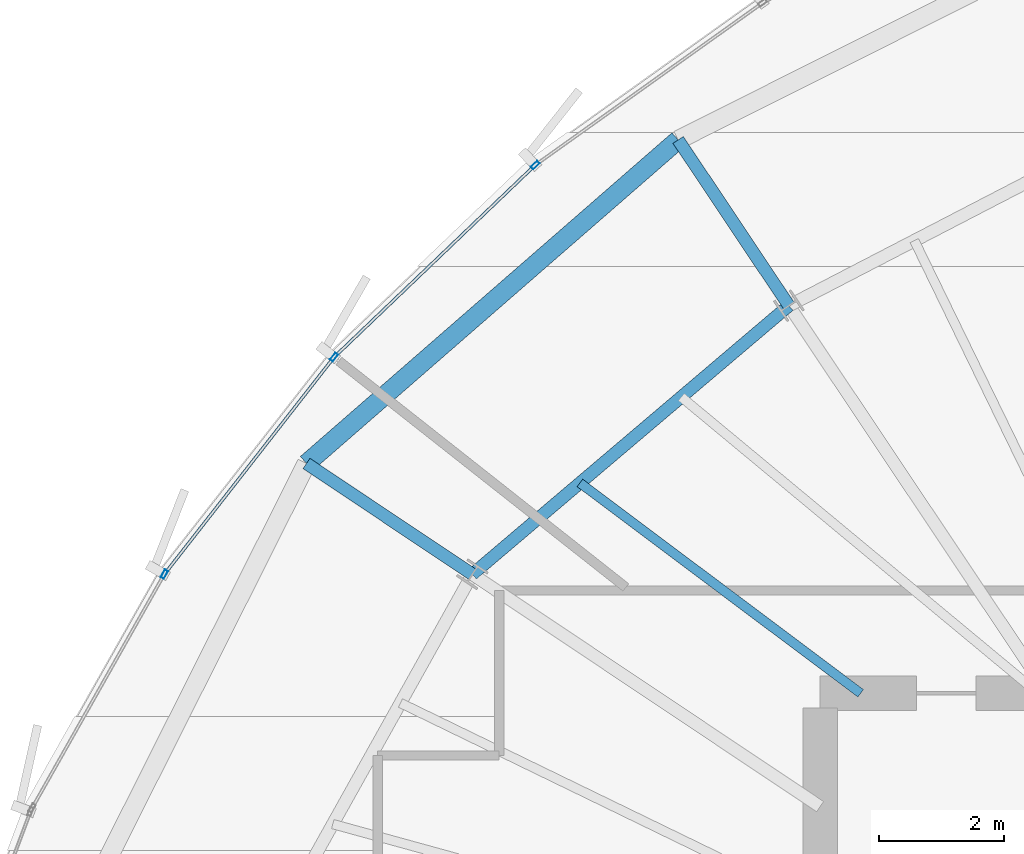
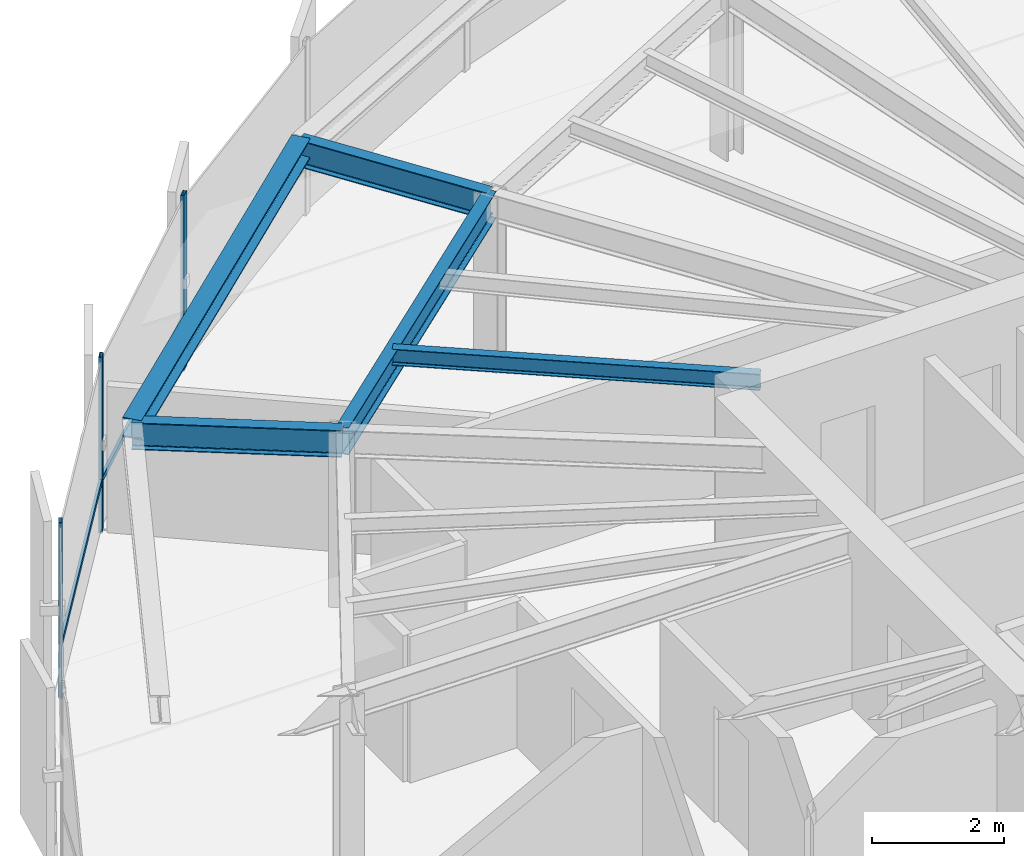
# One storey, part 20 of 35: 5 beams, 5 members, 1 element without a shape of its own.
"""IFC4 building model written with IfcOpenShell, lengths in metres."""

from ifc_helpers import new_model, si_unit, direction, frame, origin, origin_2d, place, context, subcontext, project, spatial, hollow_rectangle, i_section, extrude, source, transform, mapped, material, layer, layer_set, material_profile, profile_set, type_object, element, aggregate, save


model = new_model("IFC4")

# Units and contexts
model_context = context("Model", 3, precision=1e-05, world=origin(), true_north=direction((0.0, 1.0)))
body_context = subcontext(model_context, "Body", "Model", "MODEL_VIEW")
ifc_project = project(units=[si_unit("LENGTHUNIT", "METRE"), si_unit("AREAUNIT", "SQUARE_METRE"), si_unit("VOLUMEUNIT", "CUBIC_METRE"), si_unit("PLANEANGLEUNIT", "RADIAN"), si_unit("MASSUNIT", "GRAM", prefix="KILO"), si_unit("THERMODYNAMICTEMPERATUREUNIT", "KELVIN")], contexts=[model_context])

# Site, building, storey
site_placement = place(None, origin())
site = spatial("IfcSite", under=ifc_project, at=site_placement, CompositionType="ELEMENT")
building_placement = place(site_placement, origin())
building = spatial("IfcBuilding", under=site, at=building_placement, Name="Kethvar Cultural Tower", CompositionType="ELEMENT")
storey_placement = place(building_placement, frame((0.0, 0.0, 193.89990234375)))
storey = spatial("IfcBuildingStorey", under=building, at=storey_placement, Name="L50", CompositionType="ELEMENT", Elevation=193.89990234375)

# Beams
ifc_material_1 = material(Name="Steel S355J2", Category="steel")
ifc_material_profile_1 = material_profile(ifc_material_1, i_section(OverallWidth=0.199951171875, OverallDepth=0.5, WebThickness=0.01025390625, FlangeThickness=0.01611328125, FilletRadius=0.02099609375, at=origin_2d()), Name="Steel S355J2 — IPE500")
ifc_profile_set_1 = profile_set([ifc_material_profile_1], Name="Steel S355J2 — IPE500")
beam_type_1 = type_object("IfcBeamType", Name="BM-IPE500", PredefinedType="BEAM", material=ifc_profile_set_1)
shared_shape_1 = source(origin(), body_context, "Body", "SweptSolid", [
    extrude(i_section(OverallWidth=0.199951171875, OverallDepth=0.5, WebThickness=0.01025390625, FlangeThickness=0.01611328125, FilletRadius=0.02099609375, at=origin_2d()), origin(), (0.0, 0.0, 1.0), 3.199951171875),
])
for number, where, z_axis, x_axis, name in (
    (1, (37.498779296875, 41.720458984375, 3.008056640625), (-0.555580212716, 0.831462943996, 0.0), (-0.831462943996, -0.555580212716, 0.0), "L50 Perimeter Cantilever Beam RC-06"),
    (2, (32.418212890625, 37.409423828125, 3.008056640625), (-0.831462943996, 0.555580212716, 0.0), (-0.555580212716, -0.831462943996, 0.0), "L50 Perimeter Cantilever Beam RC-07"),
):
    element("IfcBeam", number, at=place(storey_placement, frame(where, z_axis=z_axis, x_axis=x_axis)), inside=storey, type_object=beam_type_1, Name=name, PredefinedType="BEAM", context=body_context, shape_type="MappedRepresentation", body=[
        mapped(shared_shape_1, transform((0.0, 0.0, 0.0), scale=1.0)),
    ])
shared_shape_2 = source(origin(), body_context, "Body", "SweptSolid", [
    extrude(i_section(OverallWidth=0.199951171875, OverallDepth=0.5, WebThickness=0.01025390625, FlangeThickness=0.01611328125, FilletRadius=0.02099609375, at=origin_2d()), origin(), (0.0, 0.0, 1.0), 6.6630859375),
])
beam_1_placement = place(storey_placement, frame((37.498779296875, 41.720458984375, 3.008056640625), z_axis=(-0.762490511547, -0.646999397064, 0.0), x_axis=(0.646999397064, -0.762490511547, 0.0)))
element("IfcBeam", 3, at=beam_1_placement, inside=storey, type_object=beam_type_1, Name="L50 Column Ring Tie Beam CR-06", PredefinedType="BEAM", context=body_context, shape_type="MappedRepresentation", body=[
    mapped(shared_shape_2, transform((0.0, 0.0, 0.0), scale=1.0)),
])
ifc_material_profile_2 = material_profile(ifc_material_1, i_section(OverallWidth=0.300048828125, OverallDepth=0.360107421875, WebThickness=0.012451171875, FlangeThickness=0.0224609375, FilletRadius=0.027099609375, at=origin_2d()), Name="Steel S355J2 — HEB360")
ifc_profile_set_2 = profile_set([ifc_material_profile_2], Name="Steel S355J2 — HEB360")
beam_type_2 = type_object("IfcBeamType", Name="BM-SP360", PredefinedType="SPANDREL", material=ifc_profile_set_2)
shared_shape_3 = source(origin(), body_context, "Body", "SweptSolid", [
    extrude(i_section(OverallWidth=0.300048828125, OverallDepth=0.360107421875, WebThickness=0.012451171875, FlangeThickness=0.0224609375, FilletRadius=0.027099609375, at=origin_2d()), origin(), (0.0, 0.0, 1.0), 7.908203125),
])
beam_2_placement = place(storey_placement, frame((35.720947265625, 44.381103515625, 3.078125), z_axis=(-0.754085541675, -0.656776214427, 0.0), x_axis=(0.656776214427, -0.754085541675, 0.0)))
element("IfcBeam", 4, at=beam_2_placement, inside=storey, type_object=beam_type_2, Name="L50 Perimeter Spandrel Beam SP-06", PredefinedType="SPANDREL", context=body_context, shape_type="MappedRepresentation", body=[
    mapped(shared_shape_3, transform((0.0, 0.0, 0.0), scale=1.0)),
])
ifc_material_profile_3 = material_profile(ifc_material_1, i_section(OverallWidth=0.14990234375, OverallDepth=0.300048828125, WebThickness=0.007080078125, FlangeThickness=0.0107421875, FilletRadius=0.014892578125, at=origin_2d()), Name="Steel S355J2 — IPE300")
ifc_profile_set_3 = profile_set([ifc_material_profile_3], Name="Steel S355J2 — IPE300")
beam_type_3 = type_object("IfcBeamType", Name="BM-J300", PredefinedType="JOIST", material=ifc_profile_set_3)
shared_shape_4 = source(origin(), body_context, "Body", "SweptSolid", [
    extrude(i_section(OverallWidth=0.14990234375, OverallDepth=0.300048828125, WebThickness=0.007080078125, FlangeThickness=0.0107421875, FilletRadius=0.014892578125, at=origin_2d()), origin(), (0.0, 0.0, 1.0), 5.628662109375),
])
beam_3_placement = place(storey_placement, frame((38.64990234375, 35.5, 3.108154296875), z_axis=(-0.800260171956, 0.599652947279, 0.0), x_axis=(-0.599652947279, -0.800260171956, 0.0)))
element("IfcBeam", 5, at=beam_3_placement, inside=storey, type_object=beam_type_3, Name="L50 Composite Floor Joist J-06B", PredefinedType="JOIST", context=body_context, shape_type="MappedRepresentation", body=[
    mapped(shared_shape_4, transform((0.0, 0.0, 0.0), scale=1.0)),
])

# Curtain wall, members
ifc_material_2 = material(Name="Aluminium 6063-T6", Category="aluminium")
ifc_layer = layer(ifc_material_2, 0.179931640625, Name="Aluminium 6063-T6", Category="aluminium")
ifc_layer_set = layer_set([ifc_layer], Name="Aluminium 6063-T6 (180 mm)")
curtain_wall_type = type_object("IfcCurtainWallType", Name="CW-SYS-04-Z34", PredefinedType="NOTDEFINED", material=ifc_layer_set)
curtain_wall_placement = place(storey_placement, origin())
curtain_wall = element("IfcCurtainWall", 6, at=curtain_wall_placement, inside=storey, type_object=curtain_wall_type, Name="L50 Curtain Wall Run 02", PredefinedType="NOTDEFINED")
ifc_material_profile_4 = material_profile(ifc_material_2, hollow_rectangle(XDim=0.06005859375, YDim=0.139892578125, WallThickness=0.0048828125, at=origin_2d()), Name="Aluminium 6063-T6 — RHS140x60x5")
ifc_profile_set_4 = profile_set([ifc_material_profile_4], Name="Aluminium 6063-T6 — RHS140x60x5")
member_type_1 = type_object("IfcMemberType", Name="CW-SYS-04-Z34-MUL", PredefinedType="MULLION", material=ifc_profile_set_4)
shared_shape_5 = source(origin(), body_context, "Body", "SweptSolid", [
    extrude(hollow_rectangle(XDim=0.06005859375, YDim=0.139892578125, WallThickness=0.0048828125, at=origin_2d()), origin(), (0.0, 0.0, 1.0), 3.260009765625),
])
member_1_placement = place(storey_placement, frame((33.427001953125, 43.977294921875, 0.0), z_axis=(0.0, 0.0, 1.0), x_axis=(0.69090764697, -0.722943029123, 0.0)))
member_1 = element("IfcMember", 7, at=member_1_placement, type_object=member_type_1, Name="CW-L50-R02 Mullion 4", PredefinedType="MULLION", context=body_context, shape_type="MappedRepresentation", body=[
    mapped(shared_shape_5, transform((0.0, 0.0, 0.0), scale=1.0)),
])
member_2_placement = place(storey_placement, frame((30.198486328125, 40.893310546875, 0.0), z_axis=(0.0, 0.0, 1.0), x_axis=(0.787892540567, -0.615812751183, 0.0)))
member_2 = element("IfcMember", 8, at=member_2_placement, type_object=member_type_1, Name="CW-L50-R02 Mullion 5", PredefinedType="MULLION", context=body_context, shape_type="MappedRepresentation", body=[
    mapped(shared_shape_5, transform((0.0, 0.0, 0.0), scale=1.0)),
])
member_3_placement = place(storey_placement, frame((27.475341796875, 37.411376953125, 0.0), z_axis=(0.0, 0.0, 1.0), x_axis=(0.87052753116, -0.492119718658, 0.0)))
member_3 = element("IfcMember", 9, at=member_3_placement, type_object=member_type_1, Name="CW-L50-R02 Mullion 6", PredefinedType="MULLION", context=body_context, shape_type="MappedRepresentation", body=[
    mapped(shared_shape_5, transform((0.0, 0.0, 0.0), scale=1.0)),
])
ifc_material_profile_5 = material_profile(ifc_material_2, hollow_rectangle(XDim=0.050048828125, YDim=0.10009765625, WallThickness=0.00390625, at=origin_2d()), Name="Aluminium 6063-T6 — RHS100x50x4")
ifc_profile_set_5 = profile_set([ifc_material_profile_5], Name="Aluminium 6063-T6 — RHS100x50x4")
member_type_2 = type_object("IfcMemberType", Name="CW-SYS-04-Z34-TRN", PredefinedType="USERDEFINED", material=ifc_profile_set_5)
shared_shape_6 = source(origin(), body_context, "Body", "SweptSolid", [
    extrude(hollow_rectangle(XDim=0.050048828125, YDim=0.10009765625, WallThickness=0.00390625, at=origin_2d()), origin(), (0.0, 0.0, 1.0), 4.39453125),
])
member_4_placement = place(storey_placement, frame((33.39599609375, 43.947509765625, 0.9501953125), z_axis=(-0.72295307419, -0.69089713599, 0.0), x_axis=(0.69089713599, -0.72295307419, 0.0)))
member_4 = element("IfcMember", 10, at=member_4_placement, type_object=member_type_2, Name="CW-L50-R02 Transom 4", ObjectType="TRANSOM", PredefinedType="USERDEFINED", context=body_context, shape_type="MappedRepresentation", body=[
    mapped(shared_shape_6, transform((0.0, 0.0, 0.0), scale=1.0)),
])
shared_shape_7 = source(origin(), body_context, "Body", "SweptSolid", [
    extrude(hollow_rectangle(XDim=0.050048828125, YDim=0.10009765625, WallThickness=0.00390625, at=origin_2d()), origin(), (0.0, 0.0, 1.0), 4.350341796875),
])
member_5_placement = place(storey_placement, frame((30.171875, 40.859375, 0.9501953125), z_axis=(-0.615792138579, -0.787908650838, 0.0), x_axis=(0.787908650838, -0.615792138579, 0.0)))
member_5 = element("IfcMember", 11, at=member_5_placement, type_object=member_type_2, Name="CW-L50-R02 Transom 5", ObjectType="TRANSOM", PredefinedType="USERDEFINED", context=body_context, shape_type="MappedRepresentation", body=[
    mapped(shared_shape_7, transform((0.0, 0.0, 0.0), scale=1.0)),
])
aggregate(curtain_wall, [member_1, member_2, member_3, member_4, member_5])

save(model, "model.ifc")
